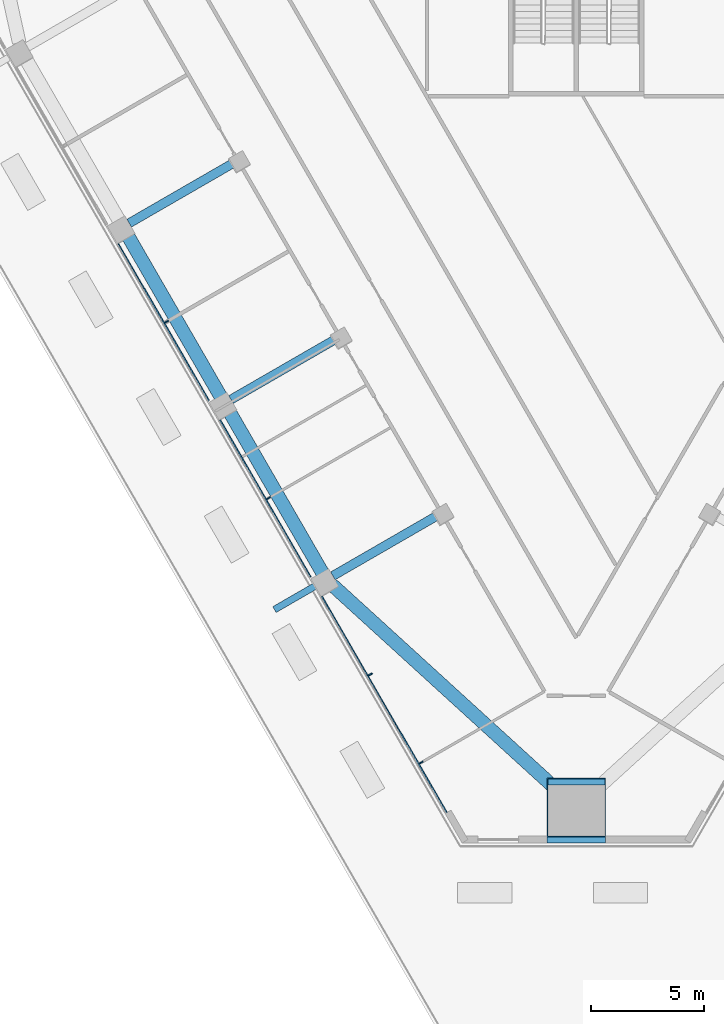
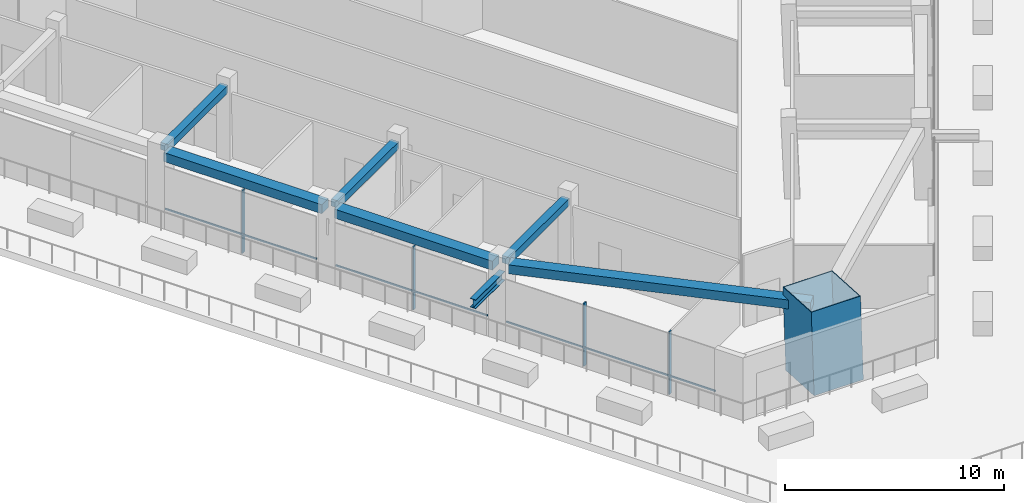
# One storey, part 2 of 15: 9 members, 6 beams, 1 element without a shape of its own.
"""IFC4 building model written with IfcOpenShell, lengths in metres."""

from ifc_helpers import new_model, si_unit, direction, frame, origin, origin_2d, place, context, subcontext, project, spatial, rectangle, hollow_rectangle, i_section, extrude, material, layer, layer_set, material_profile, profile_set, type_object, element, aggregate, save


model = new_model("IFC4")

# Units and contexts
model_context = context("Model", 3, precision=1e-05, world=origin(), true_north=direction((0.0, 1.0)))
body_context = subcontext(model_context, "Body", "Model", "MODEL_VIEW")
ifc_project = project(units=[si_unit("LENGTHUNIT", "METRE"), si_unit("AREAUNIT", "SQUARE_METRE"), si_unit("VOLUMEUNIT", "CUBIC_METRE"), si_unit("PLANEANGLEUNIT", "RADIAN"), si_unit("MASSUNIT", "GRAM", prefix="KILO")], contexts=[model_context])

# Site, building, storey
site_placement = place(None, origin())
site = spatial("IfcSite", under=ifc_project, at=site_placement, CompositionType="ELEMENT")
building_placement = place(site_placement, origin())
building = spatial("IfcBuilding", under=site, at=building_placement, Name="Altiplano Prism Tower", CompositionType="ELEMENT")
storey_placement = place(building_placement, frame((0.0, 0.0, 22.5)))
storey = spatial("IfcBuildingStorey", under=building, at=storey_placement, Name="L04", CompositionType="ELEMENT", Elevation=22.5)

# Member
ifc_material_1 = material(Name="Steel S355", Category="steel")
ifc_material_profile_1 = material_profile(ifc_material_1, i_section(OverallWidth=0.300048828125, OverallDepth=0.5, WebThickness=0.014404296875, FlangeThickness=0.028076171875, FilletRadius=0.027099609375, at=origin_2d()), Name="Brace bracket HEB 500")
ifc_profile_set_1 = profile_set([ifc_material_profile_1], Name="Steel S355")
member_type_1 = type_object("IfcMemberType", Name="Brace bracket HEB 500", PredefinedType="STRUT", material=ifc_profile_set_1)
member_1_placement = place(storey_placement, frame((73.953125, 62.03369140625, 3.185302734375), z_axis=(-0.866029095148, -0.499993606316, 0.0), x_axis=(0.499993606316, -0.866029095148, 0.0)))
element("IfcMember", 1, at=member_1_placement, inside=storey, type_object=member_type_1, Name="Brace bracket 1.27", PredefinedType="STRUT", context=body_context, shape_type="SweptSolid", body=[
    extrude(i_section(OverallWidth=0.300048828125, OverallDepth=0.5, WebThickness=0.014404296875, FlangeThickness=0.028076171875, FilletRadius=0.027099609375, at=origin_2d()), origin(), (0.0, 0.0, 1.0), 2.64990234375),
])

# Curtain wall, members
ifc_material_2 = material(Name="Aluminium and glass", Category="aluminium")
ifc_layer = layer(ifc_material_2, 0.303955078125)
ifc_layer_set = layer_set([ifc_layer], Name="Aluminium and glass")
curtain_wall_type = type_object("IfcCurtainWallType", Name="CW2 lounge-band unitised glazing", PredefinedType="NOTDEFINED", material=ifc_layer_set)
curtain_wall_placement = place(storey_placement, origin())
curtain_wall = element("IfcCurtainWall", 2, at=curtain_wall_placement, inside=storey, type_object=curtain_wall_type, Name="CW2 glazing south-west face L04", PredefinedType="NOTDEFINED")
ifc_material_3 = material(Name="Aluminium", Category="aluminium")
ifc_material_profile_2 = material_profile(ifc_material_3, rectangle(XDim=0.199951171875, YDim=0.06005859375, at=origin_2d()), Name="CW2 mullion 60 x 200")
ifc_profile_set_2 = profile_set([ifc_material_profile_2], Name="Aluminium")
member_type_2 = type_object("IfcMemberType", Name="CW2 mullion 60 x 200", PredefinedType="MULLION", material=ifc_profile_set_2)
member_2_placement = place(storey_placement, frame((66.89013671875, 73.4287109375, 0.0), z_axis=(0.0, 0.0, 1.0), x_axis=(0.86602540354, 0.500000000423, 0.0)))
member_2 = element("IfcMember", 3, at=member_2_placement, type_object=member_type_2, Name="CW2 mullion", PredefinedType="MULLION", context=body_context, shape_type="SweptSolid", body=[
    extrude(rectangle(XDim=0.199951171875, YDim=0.06005859375, at=origin_2d()), origin(), (0.0, 0.0, 1.0), 3.5),
])
member_3_placement = place(storey_placement, frame((71.39013671875, 65.634521484375, 0.0), z_axis=(0.0, 0.0, 1.0), x_axis=(0.86602540354, 0.500000000423, 0.0)))
member_3 = element("IfcMember", 4, at=member_3_placement, type_object=member_type_2, Name="CW2 mullion", PredefinedType="MULLION", context=body_context, shape_type="SweptSolid", body=[
    extrude(rectangle(XDim=0.199951171875, YDim=0.06005859375, at=origin_2d()), origin(), (0.0, 0.0, 1.0), 3.5),
])
member_4_placement = place(storey_placement, frame((75.89013671875, 57.84033203125, 0.0), z_axis=(0.0, 0.0, 1.0), x_axis=(0.86602540354, 0.500000000423, 0.0)))
member_4 = element("IfcMember", 5, at=member_4_placement, type_object=member_type_2, Name="CW2 mullion", PredefinedType="MULLION", context=body_context, shape_type="SweptSolid", body=[
    extrude(rectangle(XDim=0.199951171875, YDim=0.06005859375, at=origin_2d()), origin(), (0.0, 0.0, 1.0), 3.5),
])
member_5_placement = place(storey_placement, frame((78.14013671875, 53.943359375, 0.0), z_axis=(0.0, 0.0, 1.0), x_axis=(0.86602540354, 0.500000000423, 0.0)))
member_5 = element("IfcMember", 6, at=member_5_placement, type_object=member_type_2, Name="CW2 mullion", PredefinedType="MULLION", context=body_context, shape_type="SweptSolid", body=[
    extrude(rectangle(XDim=0.199951171875, YDim=0.06005859375, at=origin_2d()), origin(), (0.0, 0.0, 1.0), 3.5),
])
ifc_material_profile_3 = material_profile(ifc_material_3, rectangle(XDim=0.06005859375, YDim=0.080078125, at=origin_2d()), Name="CW2 transom 80 x 60")
ifc_profile_set_3 = profile_set([ifc_material_profile_3], Name="Aluminium")
member_type_3 = type_object("IfcMemberType", Name="CW2 transom 80 x 60", PredefinedType="USERDEFINED", material=ifc_profile_set_3)
member_6_placement = place(storey_placement, frame((64.7529296875, 76.87060546875, 1.10009765625), z_axis=(0.500012163284, -0.866018381195, 0.0), x_axis=(0.866018381195, 0.500012163284, 0.0)))
member_6 = element("IfcMember", 7, at=member_6_placement, type_object=member_type_3, Name="CW2 transom", ObjectType="TRANSOM", PredefinedType="USERDEFINED", context=body_context, shape_type="SweptSolid", body=[
    extrude(rectangle(XDim=0.06005859375, YDim=0.080078125, at=origin_2d()), origin(), (0.0, 0.0, 1.0), 7.999755859375),
])
member_7_placement = place(storey_placement, frame((69.2529296875, 69.076416015625, 1.10009765625), z_axis=(0.500012163284, -0.866018381195, 0.0), x_axis=(0.866018381195, 0.500012163284, 0.0)))
member_7 = element("IfcMember", 8, at=member_7_placement, type_object=member_type_3, Name="CW2 transom", ObjectType="TRANSOM", PredefinedType="USERDEFINED", context=body_context, shape_type="SweptSolid", body=[
    extrude(rectangle(XDim=0.06005859375, YDim=0.080078125, at=origin_2d()), origin(), (0.0, 0.0, 1.0), 7.999755859375),
])
member_8_placement = place(storey_placement, frame((73.7529296875, 61.2822265625, 1.10009765625), z_axis=(0.499985036264, -0.866034042929, 0.0), x_axis=(0.866034042929, 0.499985036264, 0.0)))
member_8 = element("IfcMember", 9, at=member_8_placement, type_object=member_type_3, Name="CW2 transom", ObjectType="TRANSOM", PredefinedType="USERDEFINED", context=body_context, shape_type="SweptSolid", body=[
    extrude(rectangle(XDim=0.06005859375, YDim=0.080078125, at=origin_2d()), origin(), (0.0, 0.0, 1.0), 11.026123046875),
])
aggregate(curtain_wall, [member_2, member_6, member_3, member_7, member_4, member_5, member_8])

# Beams
ifc_material_4 = material(Name="Concrete C60/75", Category="concrete")
ifc_material_profile_4 = material_profile(ifc_material_4, rectangle(XDim=0.60009765625, YDim=0.5, at=origin_2d()), Name="Edge beam 600x500")
ifc_profile_set_4 = profile_set([ifc_material_profile_4], Name="Concrete C60/75")
beam_type_1 = type_object("IfcBeamType", Name="Edge beam 600x500", PredefinedType="SPANDREL", material=ifc_profile_set_4)
for number, where, z_axis, x_axis, name in (
    (10, (65.1181640625, 77.33642578125, 3.75), (0.499992746786, -0.866029591389, 0.0), (0.866029591389, 0.499992746786, 0.0), "Edge beam P12-P13 L05"),
    (11, (69.6181640625, 69.5419921875, 3.75), (0.499992746786, -0.866029591389, 0.0), (0.866029591389, 0.499992746786, 0.0), "Edge beam P13-P14 L05"),
):
    element("IfcBeam", number, at=place(storey_placement, frame(where, z_axis=z_axis, x_axis=x_axis)), inside=storey, type_object=beam_type_1, Name=name, PredefinedType="SPANDREL", context=body_context, shape_type="SweptSolid", body=[
        extrude(rectangle(XDim=0.60009765625, YDim=0.5, at=origin_2d()), origin(), (0.0, 0.0, 1.0), 8.33984375),
    ])
beam_1_placement = place(storey_placement, frame((74.21337890625, 61.79638671875, 3.75), z_axis=(0.738910863636, -0.673803187585, 0.0), x_axis=(0.673803187585, 0.738910863636, 0.0)))
element("IfcBeam", 12, at=beam_1_placement, inside=storey, type_object=beam_type_1, Name="Edge beam P14-M1 L05", PredefinedType="SPANDREL", context=body_context, shape_type="SweptSolid", body=[
    extrude(rectangle(XDim=0.60009765625, YDim=0.5, at=origin_2d()), origin(), (0.0, 0.0, 1.0), 14.14794921875),
])

# Member
ifc_material_5 = material(Name="Steel S460", Category="steel")
ifc_material_profile_5 = material_profile(ifc_material_5, hollow_rectangle(XDim=2.60009765625, YDim=2.60009765625, WallThickness=0.0400390625, at=origin_2d()), Name="Mega column tube 2600")
ifc_profile_set_5 = profile_set([ifc_material_profile_5], Name="Steel S460")
member_type_4 = type_object("IfcMemberType", Name="Mega column tube 2600", PredefinedType="POST", material=ifc_profile_set_5)
member_9_placement = place(storey_placement, frame((85.0, 51.697265625, 0.0), z_axis=(0.0, 0.058331497301, 0.998297268564), x_axis=(-1.0, 0.0, 0.0)))
element("IfcMember", 13, at=member_9_placement, inside=storey, type_object=member_type_4, Name="Mega column tube M1 L04", PredefinedType="POST", context=body_context, shape_type="SweptSolid", body=[
    extrude(hollow_rectangle(XDim=2.60009765625, YDim=2.60009765625, WallThickness=0.0400390625, at=origin_2d()), origin(), (0.0, 0.0, 1.0), 4.507568359375),
])

# Beams
ifc_material_profile_6 = material_profile(ifc_material_4, rectangle(XDim=0.39990234375, YDim=0.39990234375, at=origin_2d()), Name="Tie beam 400x400")
ifc_profile_set_6 = profile_set([ifc_material_profile_6], Name="Concrete C60/75")
beam_type_2 = type_object("IfcBeamType", Name="Tie beam 400x400", PredefinedType="BEAM", material=ifc_profile_set_6)
beam_2_placement = place(storey_placement, frame((69.993408203125, 80.5322265625, 3.800048828125), z_axis=(-0.866012292785, -0.50002270823, 0.0), x_axis=(0.50002270823, -0.866012292785, 0.0)))
element("IfcBeam", 14, at=beam_2_placement, inside=storey, type_object=beam_type_2, Name="Tie beam I12 L05", PredefinedType="BEAM", context=body_context, shape_type="SweptSolid", body=[
    extrude(rectangle(XDim=0.39990234375, YDim=0.39990234375, at=origin_2d()), origin(), (0.0, 0.0, 1.0), 5.489990234375),
])
for number, where, z_axis, x_axis, name in (
    (15, (74.493408203125, 72.73779296875, 3.800048828125), (-0.866031549307, -0.499989355492, 0.0), (0.499989355492, -0.866031549307, 0.0), "Tie beam I13 L05"),
    (16, (78.993408203125, 64.943603515625, 3.800048828125), (-0.866031549307, -0.499989355492, 0.0), (0.499989355492, -0.866031549307, 0.0), "Tie beam I14 L05"),
):
    element("IfcBeam", number, at=place(storey_placement, frame(where, z_axis=z_axis, x_axis=x_axis)), inside=storey, type_object=beam_type_2, Name=name, PredefinedType="BEAM", context=body_context, shape_type="SweptSolid", body=[
        extrude(rectangle(XDim=0.39990234375, YDim=0.39990234375, at=origin_2d()), origin(), (0.0, 0.0, 1.0), 5.48974609375),
    ])

save(model, "model.ifc")
